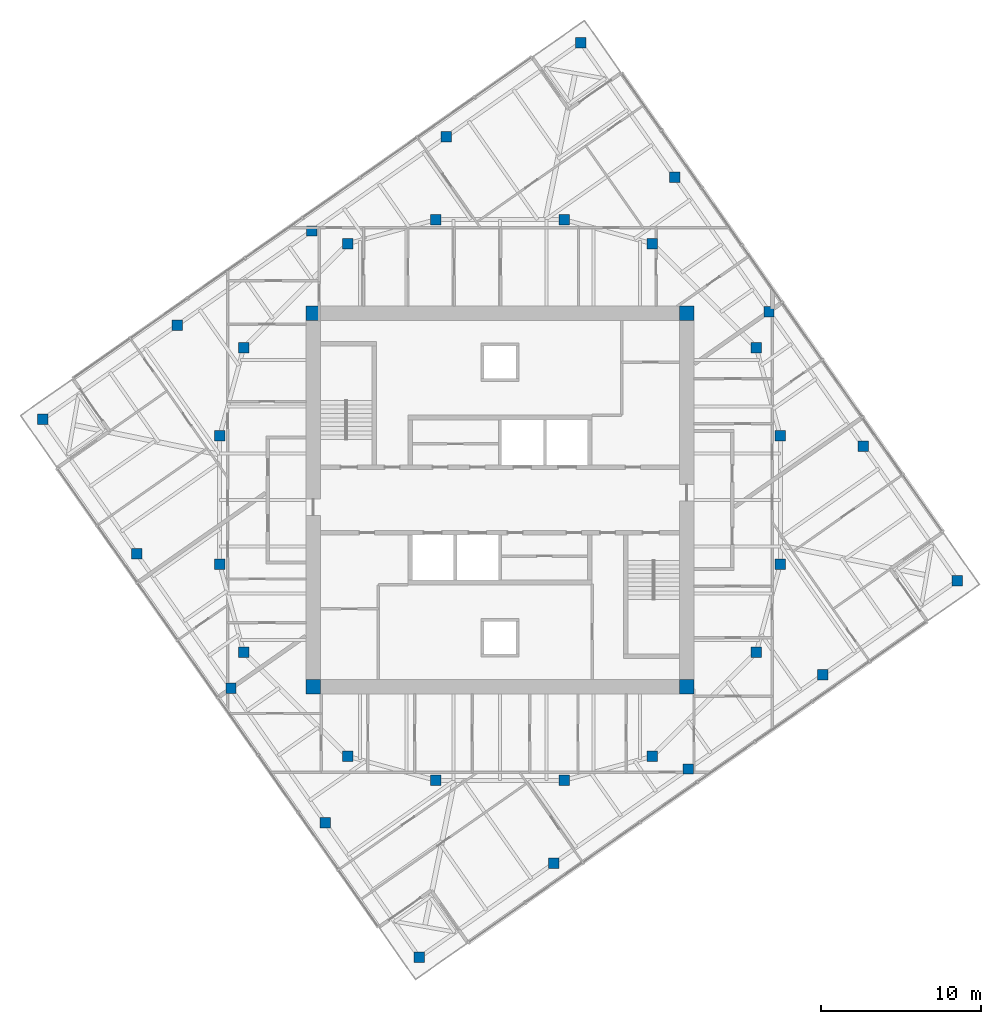
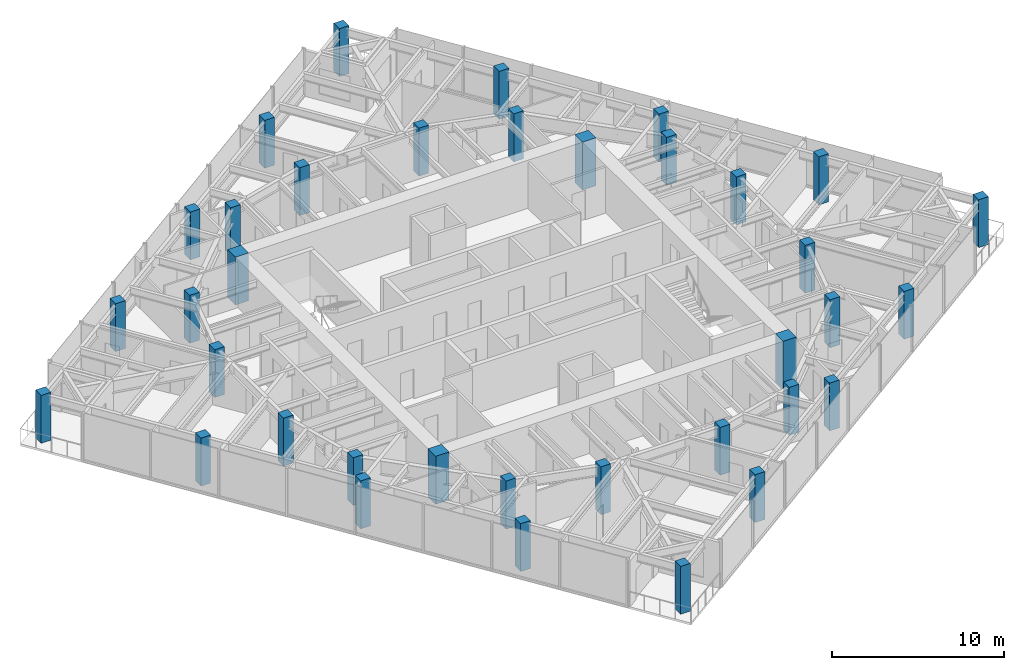
# One storey, part 1 of 12: 36 columns.
"""IFC4 building model written with IfcOpenShell, lengths in metres."""

from ifc_helpers import new_model, si_unit, direction, frame, origin, origin_2d, place, context, subcontext, project, spatial, rectangle, extrude, material, material_profile, profile_set, type_object, element, save


model = new_model("IFC4")

# Units and contexts
model_context = context("Model", 3, precision=1e-05, world=origin(), true_north=direction((0.0, 1.0)))
body_context = subcontext(model_context, "Body", "Model", "MODEL_VIEW")
ifc_project = project(units=[si_unit("LENGTHUNIT", "METRE"), si_unit("AREAUNIT", "SQUARE_METRE"), si_unit("VOLUMEUNIT", "CUBIC_METRE"), si_unit("PLANEANGLEUNIT", "RADIAN"), si_unit("MASSUNIT", "GRAM", prefix="KILO")], contexts=[model_context])

# Site, building, storey
site_placement = place(None, origin())
site = spatial("IfcSite", under=ifc_project, at=site_placement, CompositionType="ELEMENT")
building_placement = place(site_placement, origin())
building = spatial("IfcBuilding", under=site, at=building_placement, Name="Torsade Residences", CompositionType="ELEMENT")
storey_placement = place(building_placement, frame((0.0, 0.0, 247.199951171875)))
storey = spatial("IfcBuildingStorey", under=building, at=storey_placement, Name="L68", CompositionType="ELEMENT", Elevation=247.199951171875)

# Columns
ifc_material_1 = material(Name="Concrete 80 MPa", Category="concrete")
ifc_material_profile_1 = material_profile(ifc_material_1, rectangle(XDim=0.89990234375, YDim=0.89990234375, at=origin_2d()), Name="RC 900x900")
ifc_profile_set_1 = profile_set([ifc_material_profile_1], Name="Concrete 80 MPa")
column_type_1 = type_object("IfcColumnType", Name="CORE CORNER COLUMN RC 900x900", PredefinedType="COLUMN", material=ifc_profile_set_1)
for number, where, z_axis, x_axis, name in (
    (1, (28.35009765625, 18.35009765625, 0.0), (0.0, 0.0, 1.0), (1.0, 0.0, 0.0), "Core corner column CC1 L68"),
    (2, (51.64990234375, 18.35009765625, 0.0), (0.0, 0.0, 1.0), (1.0, 0.0, 0.0), "Core corner column CC2 L68"),
    (3, (51.64990234375, 41.64990234375, 0.0), (0.0, 0.0, 1.0), (1.0, 0.0, 0.0), "Core corner column CC3 L68"),
    (4, (28.35009765625, 41.64990234375, 0.0), (0.0, 0.0, 1.0), (1.0, 0.0, 0.0), "Core corner column CC4 L68"),
):
    element("IfcColumn", number, at=place(storey_placement, frame(where, z_axis=z_axis, x_axis=x_axis)), inside=storey, type_object=column_type_1, Name=name, PredefinedType="COLUMN", context=body_context, shape_type="SweptSolid", body=[
        extrude(rectangle(XDim=0.89990234375, YDim=0.89990234375, at=origin_2d()), origin(), (0.0, 0.0, 1.0), 3.400146484375),
    ])
ifc_material_2 = material(Name="Concrete 80 MPa", Category="concrete")
ifc_material_profile_2 = material_profile(ifc_material_2, rectangle(XDim=0.64990234375, YDim=0.64990234375, at=origin_2d()), Name="RC 650x650")
ifc_profile_set_2 = profile_set([ifc_material_profile_2], Name="Concrete 80 MPa")
column_type_2 = type_object("IfcColumnType", Name="INNER RING COLUMN RC 650x650", PredefinedType="COLUMN", material=ifc_profile_set_2)
for number, where, z_axis, x_axis, name in (
    (5, (57.5, 26.0, 0.0), (0.0, 0.0, 1.0), (1.0, 0.0, 0.0), "Inner ring column IR01 L68"),
    (6, (57.5, 34.0, 0.0), (0.0, 0.0, 1.0), (1.0, 0.0, 0.0), "Inner ring column IR02 L68"),
    (7, (56.0, 39.5, 0.0), (0.0, 0.0, 1.0), (1.0, 0.0, 0.0), "Inner ring column IR03 L68"),
    (8, (49.5, 46.0, 0.0), (0.0, 0.0, 1.0), (1.0, 0.0, 0.0), "Inner ring column IR04 L68"),
    (9, (44.0, 47.5, 0.0), (0.0, 0.0, 1.0), (1.0, 0.0, 0.0), "Inner ring column IR05 L68"),
    (10, (36.0, 47.5, 0.0), (0.0, 0.0, 1.0), (1.0, 0.0, 0.0), "Inner ring column IR06 L68"),
    (11, (30.5, 46.0, 0.0), (0.0, 0.0, 1.0), (1.0, 0.0, 0.0), "Inner ring column IR07 L68"),
    (12, (24.0, 39.5, 0.0), (0.0, 0.0, 1.0), (1.0, 0.0, 0.0), "Inner ring column IR08 L68"),
    (13, (22.5, 34.0, 0.0), (0.0, 0.0, 1.0), (1.0, 0.0, 0.0), "Inner ring column IR09 L68"),
    (14, (22.5, 26.0, 0.0), (0.0, 0.0, 1.0), (1.0, 0.0, 0.0), "Inner ring column IR10 L68"),
    (15, (24.0, 20.5, 0.0), (0.0, 0.0, 1.0), (1.0, 0.0, 0.0), "Inner ring column IR11 L68"),
    (16, (30.5, 14.0, 0.0), (0.0, 0.0, 1.0), (1.0, 0.0, 0.0), "Inner ring column IR12 L68"),
    (17, (36.0, 12.5, 0.0), (0.0, 0.0, 1.0), (1.0, 0.0, 0.0), "Inner ring column IR13 L68"),
    (18, (44.0, 12.5, 0.0), (0.0, 0.0, 1.0), (1.0, 0.0, 0.0), "Inner ring column IR14 L68"),
    (19, (49.5, 14.0, 0.0), (0.0, 0.0, 1.0), (1.0, 0.0, 0.0), "Inner ring column IR15 L68"),
    (20, (56.0, 20.5, 0.0), (0.0, 0.0, 1.0), (1.0, 0.0, 0.0), "Inner ring column IR16 L68"),
):
    element("IfcColumn", number, at=place(storey_placement, frame(where, z_axis=z_axis, x_axis=x_axis)), inside=storey, type_object=column_type_2, Name=name, PredefinedType="COLUMN", context=body_context, shape_type="SweptSolid", body=[
        extrude(rectangle(XDim=0.64990234375, YDim=0.64990234375, at=origin_2d()), origin(), (0.0, 0.0, 1.0), 3.400146484375),
    ])
ifc_material_3 = material(Name="Concrete 80 MPa", Category="concrete")
ifc_material_profile_3 = material_profile(ifc_material_3, rectangle(XDim=0.64990234375, YDim=0.64990234375, at=origin_2d()), Name="RC 650x650")
ifc_profile_set_3 = profile_set([ifc_material_profile_3], Name="Concrete 80 MPa")
column_type_3 = type_object("IfcColumnType", Name="TOWER COLUMN RC 650x650", PredefinedType="COLUMN", material=ifc_profile_set_3)
for number, where, z_axis, x_axis, name in (
    (21, (34.9658203125, 1.448974609375, 0.0), (0.0, 0.0, 1.0), (1.0, 0.0, 0.0), "Column TC8-01 L68"),
    (22, (43.362060546875, 7.328125, 0.0), (0.0, 0.0, 1.0), (1.0, 0.0, 0.0), "Column TC8-02 L68"),
    (23, (51.75830078125, 13.207275390625, 0.0), (0.0, 0.0, 1.0), (1.0, 0.0, 0.0), "Column TC8-03 L68"),
    (24, (60.154541015625, 19.08642578125, 0.0), (0.0, 0.0, 1.0), (1.0, 0.0, 0.0), "Column TC8-04 L68"),
    (25, (68.551025390625, 24.9658203125, 0.0), (0.0, 0.0, 1.0), (1.0, 0.0, 0.0), "Column TC8-05 L68"),
    (26, (62.671875, 33.362060546875, 0.0), (0.0, 0.0, 1.0), (1.0, 0.0, 0.0), "Column TC8-06 L68"),
    (27, (56.792724609375, 41.75830078125, 0.0), (0.0, 0.0, 1.0), (1.0, 0.0, 0.0), "Column TC8-07 L68"),
    (28, (50.91357421875, 50.154541015625, 0.0), (0.0, 0.0, 1.0), (1.0, 0.0, 0.0), "Column TC8-08 L68"),
    (29, (45.0341796875, 58.551025390625, 0.0), (0.0, 0.0, 1.0), (1.0, 0.0, 0.0), "Column TC8-09 L68"),
    (30, (36.637939453125, 52.671875, 0.0), (0.0, 0.0, 1.0), (1.0, 0.0, 0.0), "Column TC8-10 L68"),
    (31, (28.24169921875, 46.792724609375, 0.0), (0.0, 0.0, 1.0), (1.0, 0.0, 0.0), "Column TC8-11 L68"),
    (32, (19.845458984375, 40.91357421875, 0.0), (0.0, 0.0, 1.0), (1.0, 0.0, 0.0), "Column TC8-12 L68"),
    (33, (11.448974609375, 35.0341796875, 0.0), (0.0, 0.0, 1.0), (1.0, 0.0, 0.0), "Column TC8-13 L68"),
    (34, (17.328125, 26.637939453125, 0.0), (0.0, 0.0, 1.0), (1.0, 0.0, 0.0), "Column TC8-14 L68"),
    (35, (23.207275390625, 18.24169921875, 0.0), (0.0, 0.0, 1.0), (1.0, 0.0, 0.0), "Column TC8-15 L68"),
    (36, (29.08642578125, 9.845458984375, 0.0), (0.0, 0.0, 1.0), (1.0, 0.0, 0.0), "Column TC8-16 L68"),
):
    element("IfcColumn", number, at=place(storey_placement, frame(where, z_axis=z_axis, x_axis=x_axis)), inside=storey, type_object=column_type_3, Name=name, PredefinedType="COLUMN", context=body_context, shape_type="SweptSolid", body=[
        extrude(rectangle(XDim=0.64990234375, YDim=0.64990234375, at=origin_2d()), origin(), (0.0, 0.0, 1.0), 3.400146484375),
    ])

save(model, "model.ifc")
